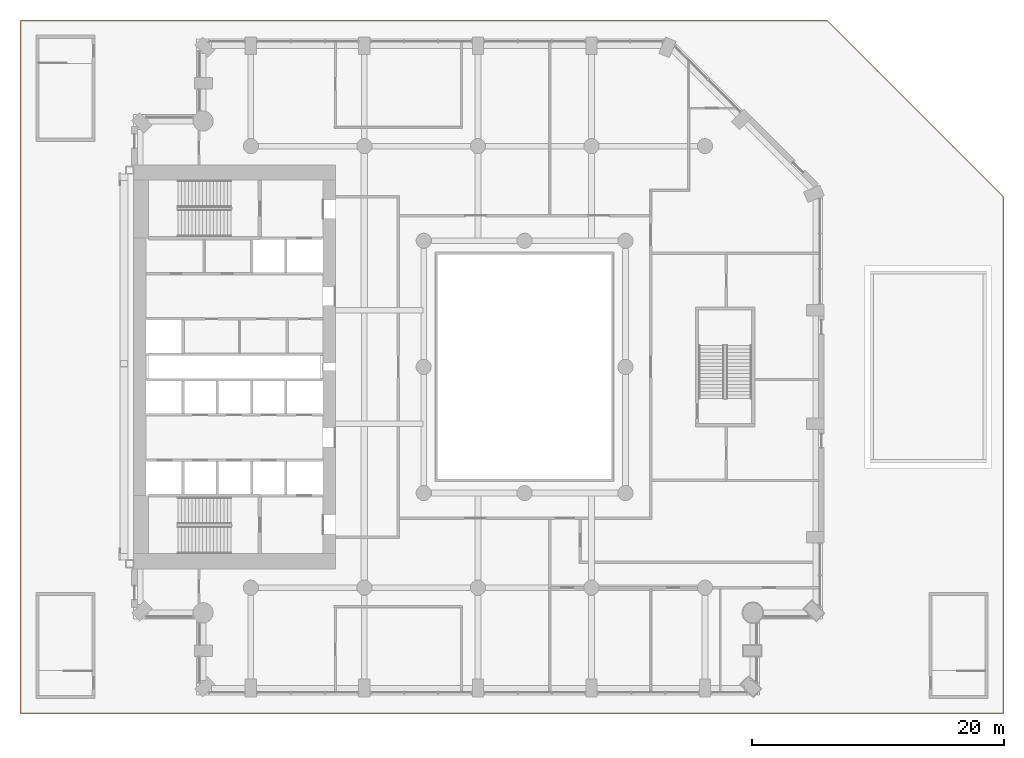
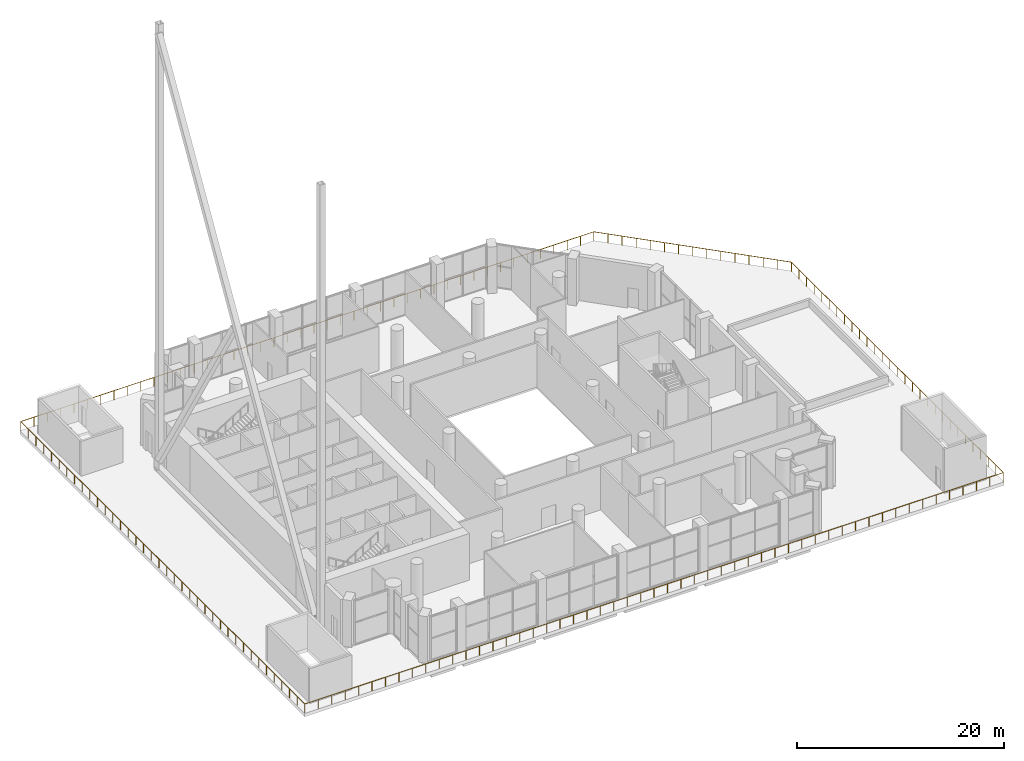
# One storey, part 23 of 26: 1 railing.
"""IFC4 building model written with IfcOpenShell, lengths in metres."""

from ifc_helpers import new_model, si_unit, direction, frame, origin, origin_2d, place, context, subcontext, project, spatial, rectangle, extrude, material, type_object, element, save


model = new_model("IFC4")

# Units and contexts
model_context = context("Model", 3, precision=1e-05, world=origin(), true_north=direction((0.0, 1.0)))
body_context = subcontext(model_context, "Body", "Model", "MODEL_VIEW")
ifc_project = project(units=[si_unit("LENGTHUNIT", "METRE"), si_unit("AREAUNIT", "SQUARE_METRE"), si_unit("VOLUMEUNIT", "CUBIC_METRE"), si_unit("PLANEANGLEUNIT", "RADIAN"), si_unit("MASSUNIT", "GRAM", prefix="KILO")], contexts=[model_context])

# Site, building, storey
site_placement = place(None, origin())
site = spatial("IfcSite", under=ifc_project, at=site_placement, CompositionType="ELEMENT")
building_placement = place(site_placement, origin())
building = spatial("IfcBuilding", under=site, at=building_placement, Name="Cypress Arch Tower", CompositionType="ELEMENT")
storey_placement = place(building_placement, frame((0.0, 0.0, 50.0)))
storey = spatial("IfcBuildingStorey", under=building, at=storey_placement, Name="L06", CompositionType="ELEMENT", Elevation=50.0)

# Railing
ifc_material = material(Name="Stainless steel posts and handrail, laminated glass infill", Category="steel")
railing_type = type_object("IfcRailingType", Name="Terrace guard GR1100G", PredefinedType="GUARDRAIL", material=ifc_material)
railing_placement = place(storey_placement, frame((-38.949951171875, -27.449951171875, 0.0)))
element("IfcRailing", 1, at=railing_placement, inside=storey, type_object=railing_type, Name="Terrace guard L06", PredefinedType="GUARDRAIL", context=body_context, shape_type="SweptSolid", body=[
    extrude(rectangle(XDim=0.050048828125, YDim=0.050048828125, at=origin_2d()), frame((0.0, 0.0, 1.0751953125), z_axis=(0.0, 1.0, 0.0), x_axis=(-1.0, 0.0, 0.0)), (0.0, 0.0, 1.0), 54.89990234375),
    extrude(rectangle(XDim=0.050048828125, YDim=0.050048828125, at=origin_2d()), frame((0.0, 54.89990234375, 1.0751953125), z_axis=(1.0, 0.0, 0.0), x_axis=(0.0, 1.0, 0.0)), (0.0, 0.0, 1.0), 63.92919921875),
    extrude(rectangle(XDim=0.050048828125, YDim=0.050048828125, at=origin_2d()), frame((63.92919921875, 54.89990234375, 1.0751953125), z_axis=(0.707106781187, -0.707106781187, 0.0), x_axis=(0.707106781187, 0.707106781187, 0.0)), (0.0, 0.0, 1.0), 19.757568359375),
    extrude(rectangle(XDim=0.050048828125, YDim=0.050048828125, at=origin_2d()), frame((77.89990234375, 40.92919921875, 1.0751953125), z_axis=(0.0, -1.0, 0.0), x_axis=(1.0, 0.0, 0.0)), (0.0, 0.0, 1.0), 40.92919921875),
    extrude(rectangle(XDim=0.050048828125, YDim=0.050048828125, at=origin_2d()), frame((77.89990234375, 0.0, 1.0751953125), z_axis=(-1.0, 0.0, 0.0), x_axis=(0.0, -1.0, 0.0)), (0.0, 0.0, 1.0), 77.89990234375),
    extrude(rectangle(XDim=0.050048828125, YDim=0.050048828125, at=origin_2d()), origin(), (0.0, 0.0, 1.0), 1.050048828125),
    extrude(rectangle(XDim=0.050048828125, YDim=0.050048828125, at=origin_2d()), frame((0.0, 1.48388671875, 0.0)), (0.0, 0.0, 1.0), 1.050048828125),
    extrude(rectangle(XDim=0.050048828125, YDim=0.050048828125, at=origin_2d()), frame((0.0, 2.967529296875, 0.0)), (0.0, 0.0, 1.0), 1.050048828125),
    extrude(rectangle(XDim=0.050048828125, YDim=0.050048828125, at=origin_2d()), frame((0.0, 4.451416015625, 0.0)), (0.0, 0.0, 1.0), 1.050048828125),
    extrude(rectangle(XDim=0.050048828125, YDim=0.050048828125, at=origin_2d()), frame((0.0, 5.93505859375, 0.0)), (0.0, 0.0, 1.0), 1.050048828125),
    extrude(rectangle(XDim=0.050048828125, YDim=0.050048828125, at=origin_2d()), frame((0.0, 7.4189453125, 0.0)), (0.0, 0.0, 1.0), 1.050048828125),
    extrude(rectangle(XDim=0.050048828125, YDim=0.050048828125, at=origin_2d()), frame((0.0, 8.902587890625, 0.0)), (0.0, 0.0, 1.0), 1.050048828125),
    extrude(rectangle(XDim=0.050048828125, YDim=0.050048828125, at=origin_2d()), frame((0.0, 10.386474609375, 0.0)), (0.0, 0.0, 1.0), 1.050048828125),
    extrude(rectangle(XDim=0.050048828125, YDim=0.050048828125, at=origin_2d()), frame((0.0, 11.870361328125, 0.0)), (0.0, 0.0, 1.0), 1.050048828125),
    extrude(rectangle(XDim=0.050048828125, YDim=0.050048828125, at=origin_2d()), frame((0.0, 13.35400390625, 0.0)), (0.0, 0.0, 1.0), 1.050048828125),
    extrude(rectangle(XDim=0.050048828125, YDim=0.050048828125, at=origin_2d()), frame((0.0, 14.837890625, 0.0)), (0.0, 0.0, 1.0), 1.050048828125),
    extrude(rectangle(XDim=0.050048828125, YDim=0.050048828125, at=origin_2d()), frame((0.0, 16.321533203125, 0.0)), (0.0, 0.0, 1.0), 1.050048828125),
    extrude(rectangle(XDim=0.050048828125, YDim=0.050048828125, at=origin_2d()), frame((0.0, 17.805419921875, 0.0)), (0.0, 0.0, 1.0), 1.050048828125),
    extrude(rectangle(XDim=0.050048828125, YDim=0.050048828125, at=origin_2d()), frame((0.0, 19.2890625, 0.0)), (0.0, 0.0, 1.0), 1.050048828125),
    extrude(rectangle(XDim=0.050048828125, YDim=0.050048828125, at=origin_2d()), frame((0.0, 20.77294921875, 0.0)), (0.0, 0.0, 1.0), 1.050048828125),
    extrude(rectangle(XDim=0.050048828125, YDim=0.050048828125, at=origin_2d()), frame((0.0, 22.2568359375, 0.0)), (0.0, 0.0, 1.0), 1.050048828125),
    extrude(rectangle(XDim=0.050048828125, YDim=0.050048828125, at=origin_2d()), frame((0.0, 23.740478515625, 0.0)), (0.0, 0.0, 1.0), 1.050048828125),
    extrude(rectangle(XDim=0.050048828125, YDim=0.050048828125, at=origin_2d()), frame((0.0, 25.224365234375, 0.0)), (0.0, 0.0, 1.0), 1.050048828125),
    extrude(rectangle(XDim=0.050048828125, YDim=0.050048828125, at=origin_2d()), frame((0.0, 26.7080078125, 0.0)), (0.0, 0.0, 1.0), 1.050048828125),
    extrude(rectangle(XDim=0.050048828125, YDim=0.050048828125, at=origin_2d()), frame((0.0, 28.19189453125, 0.0)), (0.0, 0.0, 1.0), 1.050048828125),
    extrude(rectangle(XDim=0.050048828125, YDim=0.050048828125, at=origin_2d()), frame((0.0, 29.675537109375, 0.0)), (0.0, 0.0, 1.0), 1.050048828125),
    extrude(rectangle(XDim=0.050048828125, YDim=0.050048828125, at=origin_2d()), frame((0.0, 31.159423828125, 0.0)), (0.0, 0.0, 1.0), 1.050048828125),
    extrude(rectangle(XDim=0.050048828125, YDim=0.050048828125, at=origin_2d()), frame((0.0, 32.64306640625, 0.0)), (0.0, 0.0, 1.0), 1.050048828125),
    extrude(rectangle(XDim=0.050048828125, YDim=0.050048828125, at=origin_2d()), frame((0.0, 34.126953125, 0.0)), (0.0, 0.0, 1.0), 1.050048828125),
    extrude(rectangle(XDim=0.050048828125, YDim=0.050048828125, at=origin_2d()), frame((0.0, 35.61083984375, 0.0)), (0.0, 0.0, 1.0), 1.050048828125),
    extrude(rectangle(XDim=0.050048828125, YDim=0.050048828125, at=origin_2d()), frame((0.0, 37.094482421875, 0.0)), (0.0, 0.0, 1.0), 1.050048828125),
    extrude(rectangle(XDim=0.050048828125, YDim=0.050048828125, at=origin_2d()), frame((0.0, 38.578369140625, 0.0)), (0.0, 0.0, 1.0), 1.050048828125),
    extrude(rectangle(XDim=0.050048828125, YDim=0.050048828125, at=origin_2d()), frame((0.0, 40.06201171875, 0.0)), (0.0, 0.0, 1.0), 1.050048828125),
    extrude(rectangle(XDim=0.050048828125, YDim=0.050048828125, at=origin_2d()), frame((0.0, 41.5458984375, 0.0)), (0.0, 0.0, 1.0), 1.050048828125),
    extrude(rectangle(XDim=0.050048828125, YDim=0.050048828125, at=origin_2d()), frame((0.0, 43.029541015625, 0.0)), (0.0, 0.0, 1.0), 1.050048828125),
    extrude(rectangle(XDim=0.050048828125, YDim=0.050048828125, at=origin_2d()), frame((0.0, 44.513427734375, 0.0)), (0.0, 0.0, 1.0), 1.050048828125),
    extrude(rectangle(XDim=0.050048828125, YDim=0.050048828125, at=origin_2d()), frame((0.0, 45.997314453125, 0.0)), (0.0, 0.0, 1.0), 1.050048828125),
    extrude(rectangle(XDim=0.050048828125, YDim=0.050048828125, at=origin_2d()), frame((0.0, 47.48095703125, 0.0)), (0.0, 0.0, 1.0), 1.050048828125),
    extrude(rectangle(XDim=0.050048828125, YDim=0.050048828125, at=origin_2d()), frame((0.0, 48.96484375, 0.0)), (0.0, 0.0, 1.0), 1.050048828125),
    extrude(rectangle(XDim=0.050048828125, YDim=0.050048828125, at=origin_2d()), frame((0.0, 50.448486328125, 0.0)), (0.0, 0.0, 1.0), 1.050048828125),
    extrude(rectangle(XDim=0.050048828125, YDim=0.050048828125, at=origin_2d()), frame((0.0, 51.932373046875, 0.0)), (0.0, 0.0, 1.0), 1.050048828125),
    extrude(rectangle(XDim=0.050048828125, YDim=0.050048828125, at=origin_2d()), frame((0.0, 53.416015625, 0.0)), (0.0, 0.0, 1.0), 1.050048828125),
    extrude(rectangle(XDim=0.050048828125, YDim=0.050048828125, at=origin_2d()), frame((0.0, 54.89990234375, 0.0)), (0.0, 0.0, 1.0), 1.050048828125),
    extrude(rectangle(XDim=0.050048828125, YDim=0.050048828125, at=origin_2d()), frame((1.48681640625, 54.89990234375, 0.0)), (0.0, 0.0, 1.0), 1.050048828125),
    extrude(rectangle(XDim=0.050048828125, YDim=0.050048828125, at=origin_2d()), frame((2.973388671875, 54.89990234375, 0.0)), (0.0, 0.0, 1.0), 1.050048828125),
    extrude(rectangle(XDim=0.050048828125, YDim=0.050048828125, at=origin_2d()), frame((4.460205078125, 54.89990234375, 0.0)), (0.0, 0.0, 1.0), 1.050048828125),
    extrude(rectangle(XDim=0.050048828125, YDim=0.050048828125, at=origin_2d()), frame((5.947021484375, 54.89990234375, 0.0)), (0.0, 0.0, 1.0), 1.050048828125),
    extrude(rectangle(XDim=0.050048828125, YDim=0.050048828125, at=origin_2d()), frame((7.43359375, 54.89990234375, 0.0)), (0.0, 0.0, 1.0), 1.050048828125),
    extrude(rectangle(XDim=0.050048828125, YDim=0.050048828125, at=origin_2d()), frame((8.92041015625, 54.89990234375, 0.0)), (0.0, 0.0, 1.0), 1.050048828125),
    extrude(rectangle(XDim=0.050048828125, YDim=0.050048828125, at=origin_2d()), frame((10.406982421875, 54.89990234375, 0.0)), (0.0, 0.0, 1.0), 1.050048828125),
    extrude(rectangle(XDim=0.050048828125, YDim=0.050048828125, at=origin_2d()), frame((11.893798828125, 54.89990234375, 0.0)), (0.0, 0.0, 1.0), 1.050048828125),
    extrude(rectangle(XDim=0.050048828125, YDim=0.050048828125, at=origin_2d()), frame((13.380615234375, 54.89990234375, 0.0)), (0.0, 0.0, 1.0), 1.050048828125),
    extrude(rectangle(XDim=0.050048828125, YDim=0.050048828125, at=origin_2d()), frame((14.8671875, 54.89990234375, 0.0)), (0.0, 0.0, 1.0), 1.050048828125),
    extrude(rectangle(XDim=0.050048828125, YDim=0.050048828125, at=origin_2d()), frame((16.35400390625, 54.89990234375, 0.0)), (0.0, 0.0, 1.0), 1.050048828125),
    extrude(rectangle(XDim=0.050048828125, YDim=0.050048828125, at=origin_2d()), frame((17.8408203125, 54.89990234375, 0.0)), (0.0, 0.0, 1.0), 1.050048828125),
    extrude(rectangle(XDim=0.050048828125, YDim=0.050048828125, at=origin_2d()), frame((19.327392578125, 54.89990234375, 0.0)), (0.0, 0.0, 1.0), 1.050048828125),
    extrude(rectangle(XDim=0.050048828125, YDim=0.050048828125, at=origin_2d()), frame((20.814208984375, 54.89990234375, 0.0)), (0.0, 0.0, 1.0), 1.050048828125),
    extrude(rectangle(XDim=0.050048828125, YDim=0.050048828125, at=origin_2d()), frame((22.30078125, 54.89990234375, 0.0)), (0.0, 0.0, 1.0), 1.050048828125),
    extrude(rectangle(XDim=0.050048828125, YDim=0.050048828125, at=origin_2d()), frame((23.78759765625, 54.89990234375, 0.0)), (0.0, 0.0, 1.0), 1.050048828125),
    extrude(rectangle(XDim=0.050048828125, YDim=0.050048828125, at=origin_2d()), frame((25.2744140625, 54.89990234375, 0.0)), (0.0, 0.0, 1.0), 1.050048828125),
    extrude(rectangle(XDim=0.050048828125, YDim=0.050048828125, at=origin_2d()), frame((26.760986328125, 54.89990234375, 0.0)), (0.0, 0.0, 1.0), 1.050048828125),
    extrude(rectangle(XDim=0.050048828125, YDim=0.050048828125, at=origin_2d()), frame((28.247802734375, 54.89990234375, 0.0)), (0.0, 0.0, 1.0), 1.050048828125),
    extrude(rectangle(XDim=0.050048828125, YDim=0.050048828125, at=origin_2d()), frame((29.734619140625, 54.89990234375, 0.0)), (0.0, 0.0, 1.0), 1.050048828125),
    extrude(rectangle(XDim=0.050048828125, YDim=0.050048828125, at=origin_2d()), frame((31.22119140625, 54.89990234375, 0.0)), (0.0, 0.0, 1.0), 1.050048828125),
    extrude(rectangle(XDim=0.050048828125, YDim=0.050048828125, at=origin_2d()), frame((32.7080078125, 54.89990234375, 0.0)), (0.0, 0.0, 1.0), 1.050048828125),
    extrude(rectangle(XDim=0.050048828125, YDim=0.050048828125, at=origin_2d()), frame((34.194580078125, 54.89990234375, 0.0)), (0.0, 0.0, 1.0), 1.050048828125),
    extrude(rectangle(XDim=0.050048828125, YDim=0.050048828125, at=origin_2d()), frame((35.681396484375, 54.89990234375, 0.0)), (0.0, 0.0, 1.0), 1.050048828125),
    extrude(rectangle(XDim=0.050048828125, YDim=0.050048828125, at=origin_2d()), frame((37.168212890625, 54.89990234375, 0.0)), (0.0, 0.0, 1.0), 1.050048828125),
    extrude(rectangle(XDim=0.050048828125, YDim=0.050048828125, at=origin_2d()), frame((38.65478515625, 54.89990234375, 0.0)), (0.0, 0.0, 1.0), 1.050048828125),
    extrude(rectangle(XDim=0.050048828125, YDim=0.050048828125, at=origin_2d()), frame((40.1416015625, 54.89990234375, 0.0)), (0.0, 0.0, 1.0), 1.050048828125),
    extrude(rectangle(XDim=0.050048828125, YDim=0.050048828125, at=origin_2d()), frame((41.62841796875, 54.89990234375, 0.0)), (0.0, 0.0, 1.0), 1.050048828125),
    extrude(rectangle(XDim=0.050048828125, YDim=0.050048828125, at=origin_2d()), frame((43.114990234375, 54.89990234375, 0.0)), (0.0, 0.0, 1.0), 1.050048828125),
    extrude(rectangle(XDim=0.050048828125, YDim=0.050048828125, at=origin_2d()), frame((44.601806640625, 54.89990234375, 0.0)), (0.0, 0.0, 1.0), 1.050048828125),
    extrude(rectangle(XDim=0.050048828125, YDim=0.050048828125, at=origin_2d()), frame((46.08837890625, 54.89990234375, 0.0)), (0.0, 0.0, 1.0), 1.050048828125),
    extrude(rectangle(XDim=0.050048828125, YDim=0.050048828125, at=origin_2d()), frame((47.5751953125, 54.89990234375, 0.0)), (0.0, 0.0, 1.0), 1.050048828125),
    extrude(rectangle(XDim=0.050048828125, YDim=0.050048828125, at=origin_2d()), frame((49.06201171875, 54.89990234375, 0.0)), (0.0, 0.0, 1.0), 1.050048828125),
    extrude(rectangle(XDim=0.050048828125, YDim=0.050048828125, at=origin_2d()), frame((50.548583984375, 54.89990234375, 0.0)), (0.0, 0.0, 1.0), 1.050048828125),
    extrude(rectangle(XDim=0.050048828125, YDim=0.050048828125, at=origin_2d()), frame((52.035400390625, 54.89990234375, 0.0)), (0.0, 0.0, 1.0), 1.050048828125),
    extrude(rectangle(XDim=0.050048828125, YDim=0.050048828125, at=origin_2d()), frame((53.522216796875, 54.89990234375, 0.0)), (0.0, 0.0, 1.0), 1.050048828125),
    extrude(rectangle(XDim=0.050048828125, YDim=0.050048828125, at=origin_2d()), frame((55.0087890625, 54.89990234375, 0.0)), (0.0, 0.0, 1.0), 1.050048828125),
    extrude(rectangle(XDim=0.050048828125, YDim=0.050048828125, at=origin_2d()), frame((56.49560546875, 54.89990234375, 0.0)), (0.0, 0.0, 1.0), 1.050048828125),
    extrude(rectangle(XDim=0.050048828125, YDim=0.050048828125, at=origin_2d()), frame((57.982177734375, 54.89990234375, 0.0)), (0.0, 0.0, 1.0), 1.050048828125),
    extrude(rectangle(XDim=0.050048828125, YDim=0.050048828125, at=origin_2d()), frame((59.468994140625, 54.89990234375, 0.0)), (0.0, 0.0, 1.0), 1.050048828125),
    extrude(rectangle(XDim=0.050048828125, YDim=0.050048828125, at=origin_2d()), frame((60.955810546875, 54.89990234375, 0.0)), (0.0, 0.0, 1.0), 1.050048828125),
    extrude(rectangle(XDim=0.050048828125, YDim=0.050048828125, at=origin_2d()), frame((62.4423828125, 54.89990234375, 0.0)), (0.0, 0.0, 1.0), 1.050048828125),
    extrude(rectangle(XDim=0.050048828125, YDim=0.050048828125, at=origin_2d()), frame((63.92919921875, 54.89990234375, 0.0)), (0.0, 0.0, 1.0), 1.050048828125),
    extrude(rectangle(XDim=0.050048828125, YDim=0.050048828125, at=origin_2d()), frame((64.927001953125, 53.902099609375, 0.0)), (0.0, 0.0, 1.0), 1.050048828125),
    extrude(rectangle(XDim=0.050048828125, YDim=0.050048828125, at=origin_2d()), frame((65.925048828125, 52.904052734375, 0.0)), (0.0, 0.0, 1.0), 1.050048828125),
    extrude(rectangle(XDim=0.050048828125, YDim=0.050048828125, at=origin_2d()), frame((66.9228515625, 51.90625, 0.0)), (0.0, 0.0, 1.0), 1.050048828125),
    extrude(rectangle(XDim=0.050048828125, YDim=0.050048828125, at=origin_2d()), frame((67.9208984375, 50.908203125, 0.0)), (0.0, 0.0, 1.0), 1.050048828125),
    extrude(rectangle(XDim=0.050048828125, YDim=0.050048828125, at=origin_2d()), frame((68.918701171875, 49.910400390625, 0.0)), (0.0, 0.0, 1.0), 1.050048828125),
    extrude(rectangle(XDim=0.050048828125, YDim=0.050048828125, at=origin_2d()), frame((69.916748046875, 48.912353515625, 0.0)), (0.0, 0.0, 1.0), 1.050048828125),
    extrude(rectangle(XDim=0.050048828125, YDim=0.050048828125, at=origin_2d()), frame((70.91455078125, 47.91455078125, 0.0)), (0.0, 0.0, 1.0), 1.050048828125),
    extrude(rectangle(XDim=0.050048828125, YDim=0.050048828125, at=origin_2d()), frame((71.912353515625, 46.916748046875, 0.0)), (0.0, 0.0, 1.0), 1.050048828125),
    extrude(rectangle(XDim=0.050048828125, YDim=0.050048828125, at=origin_2d()), frame((72.910400390625, 45.918701171875, 0.0)), (0.0, 0.0, 1.0), 1.050048828125),
    extrude(rectangle(XDim=0.050048828125, YDim=0.050048828125, at=origin_2d()), frame((73.908203125, 44.9208984375, 0.0)), (0.0, 0.0, 1.0), 1.050048828125),
    extrude(rectangle(XDim=0.050048828125, YDim=0.050048828125, at=origin_2d()), frame((74.90625, 43.9228515625, 0.0)), (0.0, 0.0, 1.0), 1.050048828125),
    extrude(rectangle(XDim=0.050048828125, YDim=0.050048828125, at=origin_2d()), frame((75.904052734375, 42.925048828125, 0.0)), (0.0, 0.0, 1.0), 1.050048828125),
    extrude(rectangle(XDim=0.050048828125, YDim=0.050048828125, at=origin_2d()), frame((76.902099609375, 41.927001953125, 0.0)), (0.0, 0.0, 1.0), 1.050048828125),
    extrude(rectangle(XDim=0.050048828125, YDim=0.050048828125, at=origin_2d()), frame((77.89990234375, 40.92919921875, 0.0)), (0.0, 0.0, 1.0), 1.050048828125),
    extrude(rectangle(XDim=0.050048828125, YDim=0.050048828125, at=origin_2d()), frame((77.89990234375, 39.467529296875, 0.0)), (0.0, 0.0, 1.0), 1.050048828125),
    extrude(rectangle(XDim=0.050048828125, YDim=0.050048828125, at=origin_2d()), frame((77.89990234375, 38.005615234375, 0.0)), (0.0, 0.0, 1.0), 1.050048828125),
    extrude(rectangle(XDim=0.050048828125, YDim=0.050048828125, at=origin_2d()), frame((77.89990234375, 36.5439453125, 0.0)), (0.0, 0.0, 1.0), 1.050048828125),
    extrude(rectangle(XDim=0.050048828125, YDim=0.050048828125, at=origin_2d()), frame((77.89990234375, 35.082275390625, 0.0)), (0.0, 0.0, 1.0), 1.050048828125),
    extrude(rectangle(XDim=0.050048828125, YDim=0.050048828125, at=origin_2d()), frame((77.89990234375, 33.620361328125, 0.0)), (0.0, 0.0, 1.0), 1.050048828125),
    extrude(rectangle(XDim=0.050048828125, YDim=0.050048828125, at=origin_2d()), frame((77.89990234375, 32.15869140625, 0.0)), (0.0, 0.0, 1.0), 1.050048828125),
    extrude(rectangle(XDim=0.050048828125, YDim=0.050048828125, at=origin_2d()), frame((77.89990234375, 30.69677734375, 0.0)), (0.0, 0.0, 1.0), 1.050048828125),
    extrude(rectangle(XDim=0.050048828125, YDim=0.050048828125, at=origin_2d()), frame((77.89990234375, 29.235107421875, 0.0)), (0.0, 0.0, 1.0), 1.050048828125),
    extrude(rectangle(XDim=0.050048828125, YDim=0.050048828125, at=origin_2d()), frame((77.89990234375, 27.7734375, 0.0)), (0.0, 0.0, 1.0), 1.050048828125),
    extrude(rectangle(XDim=0.050048828125, YDim=0.050048828125, at=origin_2d()), frame((77.89990234375, 26.3115234375, 0.0)), (0.0, 0.0, 1.0), 1.050048828125),
    extrude(rectangle(XDim=0.050048828125, YDim=0.050048828125, at=origin_2d()), frame((77.89990234375, 24.849853515625, 0.0)), (0.0, 0.0, 1.0), 1.050048828125),
    extrude(rectangle(XDim=0.050048828125, YDim=0.050048828125, at=origin_2d()), frame((77.89990234375, 23.38818359375, 0.0)), (0.0, 0.0, 1.0), 1.050048828125),
    extrude(rectangle(XDim=0.050048828125, YDim=0.050048828125, at=origin_2d()), frame((77.89990234375, 21.92626953125, 0.0)), (0.0, 0.0, 1.0), 1.050048828125),
    extrude(rectangle(XDim=0.050048828125, YDim=0.050048828125, at=origin_2d()), frame((77.89990234375, 20.464599609375, 0.0)), (0.0, 0.0, 1.0), 1.050048828125),
    extrude(rectangle(XDim=0.050048828125, YDim=0.050048828125, at=origin_2d()), frame((77.89990234375, 19.0029296875, 0.0)), (0.0, 0.0, 1.0), 1.050048828125),
    extrude(rectangle(XDim=0.050048828125, YDim=0.050048828125, at=origin_2d()), frame((77.89990234375, 17.541015625, 0.0)), (0.0, 0.0, 1.0), 1.050048828125),
    extrude(rectangle(XDim=0.050048828125, YDim=0.050048828125, at=origin_2d()), frame((77.89990234375, 16.079345703125, 0.0)), (0.0, 0.0, 1.0), 1.050048828125),
    extrude(rectangle(XDim=0.050048828125, YDim=0.050048828125, at=origin_2d()), frame((77.89990234375, 14.61767578125, 0.0)), (0.0, 0.0, 1.0), 1.050048828125),
    extrude(rectangle(XDim=0.050048828125, YDim=0.050048828125, at=origin_2d()), frame((77.89990234375, 13.15576171875, 0.0)), (0.0, 0.0, 1.0), 1.050048828125),
    extrude(rectangle(XDim=0.050048828125, YDim=0.050048828125, at=origin_2d()), frame((77.89990234375, 11.694091796875, 0.0)), (0.0, 0.0, 1.0), 1.050048828125),
    extrude(rectangle(XDim=0.050048828125, YDim=0.050048828125, at=origin_2d()), frame((77.89990234375, 10.232421875, 0.0)), (0.0, 0.0, 1.0), 1.050048828125),
    extrude(rectangle(XDim=0.050048828125, YDim=0.050048828125, at=origin_2d()), frame((77.89990234375, 8.7705078125, 0.0)), (0.0, 0.0, 1.0), 1.050048828125),
    extrude(rectangle(XDim=0.050048828125, YDim=0.050048828125, at=origin_2d()), frame((77.89990234375, 7.308837890625, 0.0)), (0.0, 0.0, 1.0), 1.050048828125),
    extrude(rectangle(XDim=0.050048828125, YDim=0.050048828125, at=origin_2d()), frame((77.89990234375, 5.846923828125, 0.0)), (0.0, 0.0, 1.0), 1.050048828125),
    extrude(rectangle(XDim=0.050048828125, YDim=0.050048828125, at=origin_2d()), frame((77.89990234375, 4.38525390625, 0.0)), (0.0, 0.0, 1.0), 1.050048828125),
    extrude(rectangle(XDim=0.050048828125, YDim=0.050048828125, at=origin_2d()), frame((77.89990234375, 2.923583984375, 0.0)), (0.0, 0.0, 1.0), 1.050048828125),
    extrude(rectangle(XDim=0.050048828125, YDim=0.050048828125, at=origin_2d()), frame((77.89990234375, 1.461669921875, 0.0)), (0.0, 0.0, 1.0), 1.050048828125),
    extrude(rectangle(XDim=0.050048828125, YDim=0.050048828125, at=origin_2d()), frame((77.89990234375, 0.0, 0.0)), (0.0, 0.0, 1.0), 1.050048828125),
    extrude(rectangle(XDim=0.050048828125, YDim=0.050048828125, at=origin_2d()), frame((76.40185546875, 0.0, 0.0)), (0.0, 0.0, 1.0), 1.050048828125),
    extrude(rectangle(XDim=0.050048828125, YDim=0.050048828125, at=origin_2d()), frame((74.90380859375, 0.0, 0.0)), (0.0, 0.0, 1.0), 1.050048828125),
    extrude(rectangle(XDim=0.050048828125, YDim=0.050048828125, at=origin_2d()), frame((73.40576171875, 0.0, 0.0)), (0.0, 0.0, 1.0), 1.050048828125),
    extrude(rectangle(XDim=0.050048828125, YDim=0.050048828125, at=origin_2d()), frame((71.90771484375, 0.0, 0.0)), (0.0, 0.0, 1.0), 1.050048828125),
    extrude(rectangle(XDim=0.050048828125, YDim=0.050048828125, at=origin_2d()), frame((70.409423828125, 0.0, 0.0)), (0.0, 0.0, 1.0), 1.050048828125),
    extrude(rectangle(XDim=0.050048828125, YDim=0.050048828125, at=origin_2d()), frame((68.911376953125, 0.0, 0.0)), (0.0, 0.0, 1.0), 1.050048828125),
    extrude(rectangle(XDim=0.050048828125, YDim=0.050048828125, at=origin_2d()), frame((67.413330078125, 0.0, 0.0)), (0.0, 0.0, 1.0), 1.050048828125),
    extrude(rectangle(XDim=0.050048828125, YDim=0.050048828125, at=origin_2d()), frame((65.915283203125, 0.0, 0.0)), (0.0, 0.0, 1.0), 1.050048828125),
    extrude(rectangle(XDim=0.050048828125, YDim=0.050048828125, at=origin_2d()), frame((64.417236328125, 0.0, 0.0)), (0.0, 0.0, 1.0), 1.050048828125),
    extrude(rectangle(XDim=0.050048828125, YDim=0.050048828125, at=origin_2d()), frame((62.919189453125, 0.0, 0.0)), (0.0, 0.0, 1.0), 1.050048828125),
    extrude(rectangle(XDim=0.050048828125, YDim=0.050048828125, at=origin_2d()), frame((61.421142578125, 0.0, 0.0)), (0.0, 0.0, 1.0), 1.050048828125),
    extrude(rectangle(XDim=0.050048828125, YDim=0.050048828125, at=origin_2d()), frame((59.923095703125, 0.0, 0.0)), (0.0, 0.0, 1.0), 1.050048828125),
    extrude(rectangle(XDim=0.050048828125, YDim=0.050048828125, at=origin_2d()), frame((58.4248046875, 0.0, 0.0)), (0.0, 0.0, 1.0), 1.050048828125),
    extrude(rectangle(XDim=0.050048828125, YDim=0.050048828125, at=origin_2d()), frame((56.9267578125, 0.0, 0.0)), (0.0, 0.0, 1.0), 1.050048828125),
    extrude(rectangle(XDim=0.050048828125, YDim=0.050048828125, at=origin_2d()), frame((55.4287109375, 0.0, 0.0)), (0.0, 0.0, 1.0), 1.050048828125),
    extrude(rectangle(XDim=0.050048828125, YDim=0.050048828125, at=origin_2d()), frame((53.9306640625, 0.0, 0.0)), (0.0, 0.0, 1.0), 1.050048828125),
    extrude(rectangle(XDim=0.050048828125, YDim=0.050048828125, at=origin_2d()), frame((52.4326171875, 0.0, 0.0)), (0.0, 0.0, 1.0), 1.050048828125),
    extrude(rectangle(XDim=0.050048828125, YDim=0.050048828125, at=origin_2d()), frame((50.9345703125, 0.0, 0.0)), (0.0, 0.0, 1.0), 1.050048828125),
    extrude(rectangle(XDim=0.050048828125, YDim=0.050048828125, at=origin_2d()), frame((49.4365234375, 0.0, 0.0)), (0.0, 0.0, 1.0), 1.050048828125),
    extrude(rectangle(XDim=0.050048828125, YDim=0.050048828125, at=origin_2d()), frame((47.9384765625, 0.0, 0.0)), (0.0, 0.0, 1.0), 1.050048828125),
    extrude(rectangle(XDim=0.050048828125, YDim=0.050048828125, at=origin_2d()), frame((46.4404296875, 0.0, 0.0)), (0.0, 0.0, 1.0), 1.050048828125),
    extrude(rectangle(XDim=0.050048828125, YDim=0.050048828125, at=origin_2d()), frame((44.942138671875, 0.0, 0.0)), (0.0, 0.0, 1.0), 1.050048828125),
    extrude(rectangle(XDim=0.050048828125, YDim=0.050048828125, at=origin_2d()), frame((43.444091796875, 0.0, 0.0)), (0.0, 0.0, 1.0), 1.050048828125),
    extrude(rectangle(XDim=0.050048828125, YDim=0.050048828125, at=origin_2d()), frame((41.946044921875, 0.0, 0.0)), (0.0, 0.0, 1.0), 1.050048828125),
    extrude(rectangle(XDim=0.050048828125, YDim=0.050048828125, at=origin_2d()), frame((40.447998046875, 0.0, 0.0)), (0.0, 0.0, 1.0), 1.050048828125),
    extrude(rectangle(XDim=0.050048828125, YDim=0.050048828125, at=origin_2d()), frame((38.949951171875, 0.0, 0.0)), (0.0, 0.0, 1.0), 1.050048828125),
    extrude(rectangle(XDim=0.050048828125, YDim=0.050048828125, at=origin_2d()), frame((37.451904296875, 0.0, 0.0)), (0.0, 0.0, 1.0), 1.050048828125),
    extrude(rectangle(XDim=0.050048828125, YDim=0.050048828125, at=origin_2d()), frame((35.953857421875, 0.0, 0.0)), (0.0, 0.0, 1.0), 1.050048828125),
    extrude(rectangle(XDim=0.050048828125, YDim=0.050048828125, at=origin_2d()), frame((34.455810546875, 0.0, 0.0)), (0.0, 0.0, 1.0), 1.050048828125),
    extrude(rectangle(XDim=0.050048828125, YDim=0.050048828125, at=origin_2d()), frame((32.957763671875, 0.0, 0.0)), (0.0, 0.0, 1.0), 1.050048828125),
    extrude(rectangle(XDim=0.050048828125, YDim=0.050048828125, at=origin_2d()), frame((31.45947265625, 0.0, 0.0)), (0.0, 0.0, 1.0), 1.050048828125),
    extrude(rectangle(XDim=0.050048828125, YDim=0.050048828125, at=origin_2d()), frame((29.96142578125, 0.0, 0.0)), (0.0, 0.0, 1.0), 1.050048828125),
    extrude(rectangle(XDim=0.050048828125, YDim=0.050048828125, at=origin_2d()), frame((28.46337890625, 0.0, 0.0)), (0.0, 0.0, 1.0), 1.050048828125),
    extrude(rectangle(XDim=0.050048828125, YDim=0.050048828125, at=origin_2d()), frame((26.96533203125, 0.0, 0.0)), (0.0, 0.0, 1.0), 1.050048828125),
    extrude(rectangle(XDim=0.050048828125, YDim=0.050048828125, at=origin_2d()), frame((25.46728515625, 0.0, 0.0)), (0.0, 0.0, 1.0), 1.050048828125),
    extrude(rectangle(XDim=0.050048828125, YDim=0.050048828125, at=origin_2d()), frame((23.96923828125, 0.0, 0.0)), (0.0, 0.0, 1.0), 1.050048828125),
    extrude(rectangle(XDim=0.050048828125, YDim=0.050048828125, at=origin_2d()), frame((22.47119140625, 0.0, 0.0)), (0.0, 0.0, 1.0), 1.050048828125),
    extrude(rectangle(XDim=0.050048828125, YDim=0.050048828125, at=origin_2d()), frame((20.97314453125, 0.0, 0.0)), (0.0, 0.0, 1.0), 1.050048828125),
    extrude(rectangle(XDim=0.050048828125, YDim=0.050048828125, at=origin_2d()), frame((19.47509765625, 0.0, 0.0)), (0.0, 0.0, 1.0), 1.050048828125),
    extrude(rectangle(XDim=0.050048828125, YDim=0.050048828125, at=origin_2d()), frame((17.976806640625, 0.0, 0.0)), (0.0, 0.0, 1.0), 1.050048828125),
    extrude(rectangle(XDim=0.050048828125, YDim=0.050048828125, at=origin_2d()), frame((16.478759765625, 0.0, 0.0)), (0.0, 0.0, 1.0), 1.050048828125),
    extrude(rectangle(XDim=0.050048828125, YDim=0.050048828125, at=origin_2d()), frame((14.980712890625, 0.0, 0.0)), (0.0, 0.0, 1.0), 1.050048828125),
    extrude(rectangle(XDim=0.050048828125, YDim=0.050048828125, at=origin_2d()), frame((13.482666015625, 0.0, 0.0)), (0.0, 0.0, 1.0), 1.050048828125),
    extrude(rectangle(XDim=0.050048828125, YDim=0.050048828125, at=origin_2d()), frame((11.984619140625, 0.0, 0.0)), (0.0, 0.0, 1.0), 1.050048828125),
    extrude(rectangle(XDim=0.050048828125, YDim=0.050048828125, at=origin_2d()), frame((10.486572265625, 0.0, 0.0)), (0.0, 0.0, 1.0), 1.050048828125),
    extrude(rectangle(XDim=0.050048828125, YDim=0.050048828125, at=origin_2d()), frame((8.988525390625, 0.0, 0.0)), (0.0, 0.0, 1.0), 1.050048828125),
    extrude(rectangle(XDim=0.050048828125, YDim=0.050048828125, at=origin_2d()), frame((7.490478515625, 0.0, 0.0)), (0.0, 0.0, 1.0), 1.050048828125),
    extrude(rectangle(XDim=0.050048828125, YDim=0.050048828125, at=origin_2d()), frame((5.9921875, 0.0, 0.0)), (0.0, 0.0, 1.0), 1.050048828125),
    extrude(rectangle(XDim=0.050048828125, YDim=0.050048828125, at=origin_2d()), frame((4.494140625, 0.0, 0.0)), (0.0, 0.0, 1.0), 1.050048828125),
    extrude(rectangle(XDim=0.050048828125, YDim=0.050048828125, at=origin_2d()), frame((2.99609375, 0.0, 0.0)), (0.0, 0.0, 1.0), 1.050048828125),
    extrude(rectangle(XDim=0.050048828125, YDim=0.050048828125, at=origin_2d()), frame((1.498046875, 0.0, 0.0)), (0.0, 0.0, 1.0), 1.050048828125),
])

save(model, "model.ifc")
